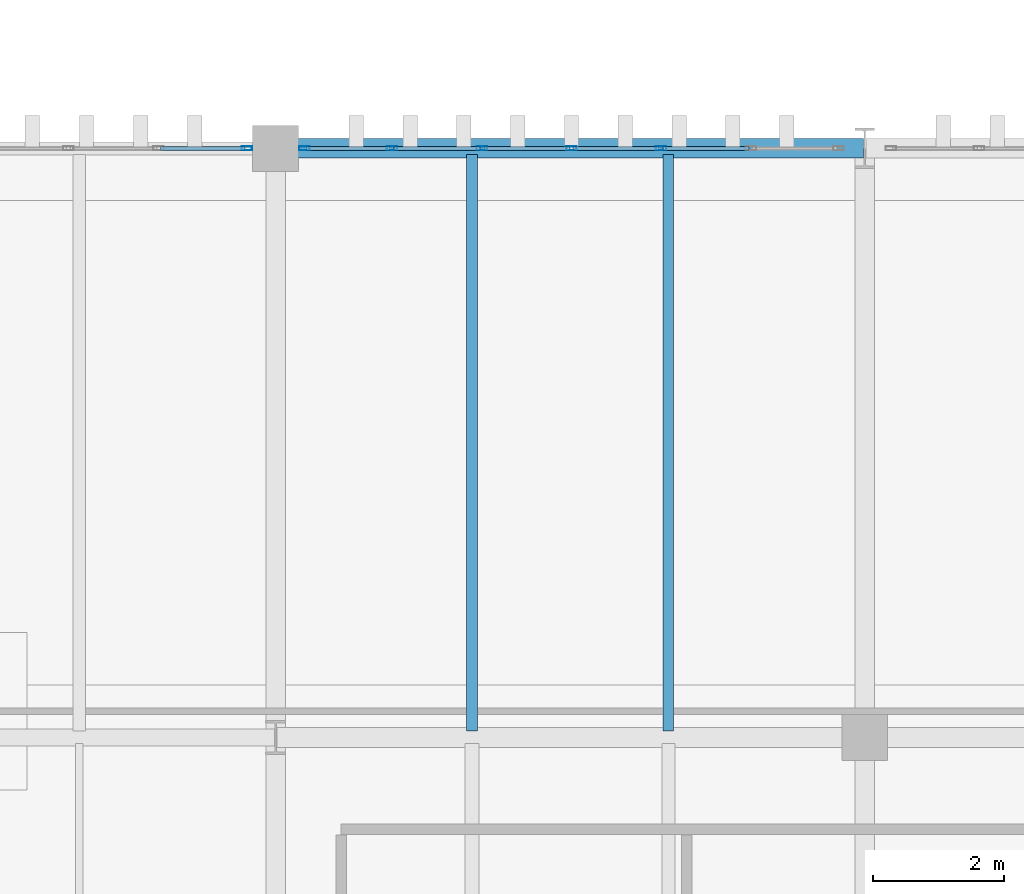
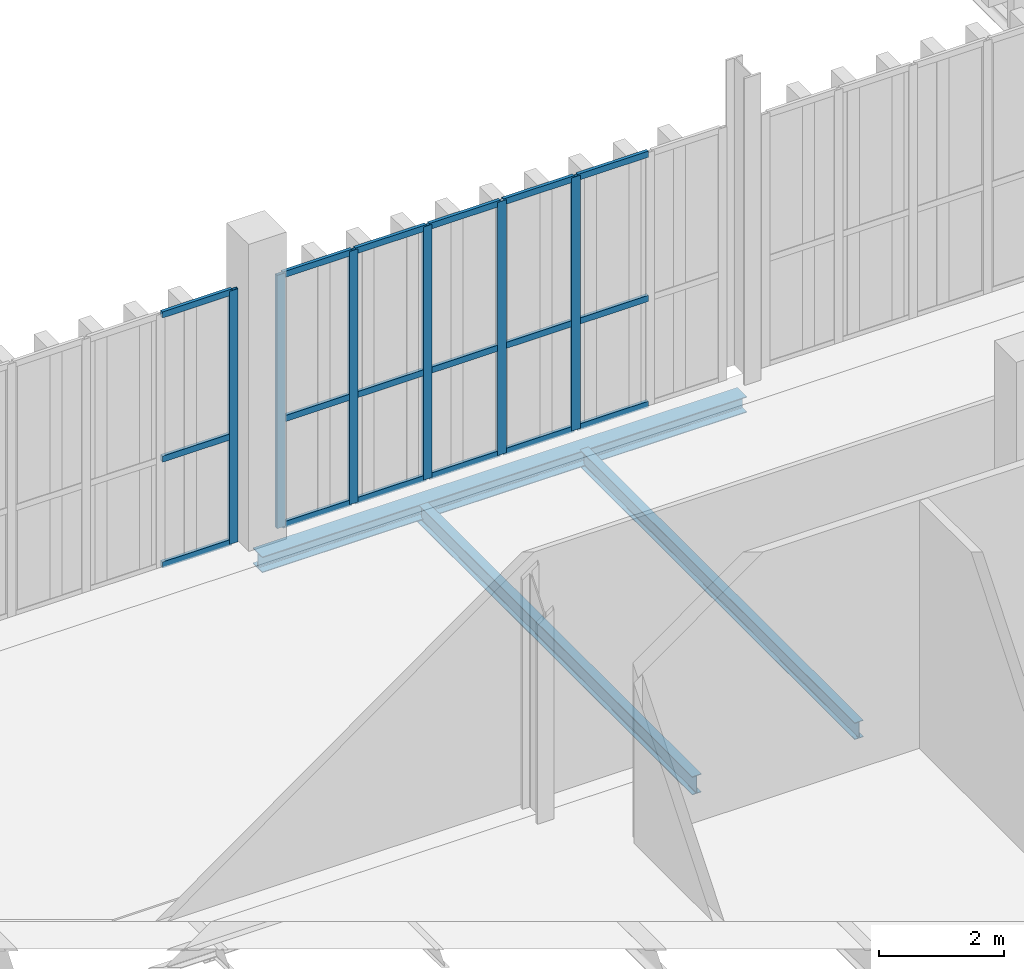
# One storey, part 96 of 211: 24 members, 3 beams, 2 elements without a shape of their own.
"""IFC4 building model written with IfcOpenShell, lengths in metres."""

from ifc_helpers import new_model, si_unit, direction, frame, origin, origin_2d, place, context, subcontext, project, spatial, hollow_rectangle, i_section, extrude, material, layer, layer_set, material_profile, profile_set, type_object, element, aggregate, save


model = new_model("IFC4")

# Units and contexts
model_context = context("Model", 3, precision=1e-05, world=origin(), true_north=direction((0.0, 1.0)))
body_context = subcontext(model_context, "Body", "Model", "MODEL_VIEW")
ifc_project = project(units=[si_unit("LENGTHUNIT", "METRE"), si_unit("AREAUNIT", "SQUARE_METRE"), si_unit("VOLUMEUNIT", "CUBIC_METRE"), si_unit("PLANEANGLEUNIT", "RADIAN"), si_unit("MASSUNIT", "GRAM", prefix="KILO")], contexts=[model_context])

# Site, building, storey
site_placement = place(None, origin())
site = spatial("IfcSite", under=ifc_project, at=site_placement, CompositionType="ELEMENT")
building_placement = place(site_placement, origin())
building = spatial("IfcBuilding", under=site, at=building_placement, Name="Barlavento Convention Centre", CompositionType="ELEMENT")
storey_placement = place(building_placement, frame((0.0, 0.0, 6.0)))
storey = spatial("IfcBuildingStorey", under=building, at=storey_placement, Name="L01", CompositionType="ELEMENT", Elevation=6.0)

# Curtain wall, member
ifc_material_1 = material(Name="Powder-coated aluminium and Low-E glass", Category="aluminium")
ifc_layer = layer(ifc_material_1, 0.195068359375)
ifc_layer_set = layer_set([ifc_layer], Name="ARC-CW-PATIO-A")
curtain_wall_type = type_object("IfcCurtainWallType", Name="ARC-CW-PATIO-A", PredefinedType="NOTDEFINED", material=ifc_layer_set)
curtain_wall_1_placement = place(storey_placement, origin())
curtain_wall_1 = element("IfcCurtainWall", 1, at=curtain_wall_1_placement, inside=storey, type_object=curtain_wall_type, Name="L01 unitised curtain wall CW11", PredefinedType="NOTDEFINED")
ifc_material_2 = material(Name="Powder-coated aluminium", Category="aluminium")
ifc_material_profile_1 = material_profile(ifc_material_2, hollow_rectangle(XDim=0.06005859375, YDim=0.159912109375, WallThickness=0.00390625, at=origin_2d()), Name="AL-MULL 60x160x4")
ifc_profile_set_1 = profile_set([ifc_material_profile_1], Name="Powder-coated aluminium")
member_type_1 = type_object("IfcMemberType", Name="ARC-CWM-60X160", PredefinedType="MULLION", material=ifc_profile_set_1)
member_1_placement = place(storey_placement, frame((152.56005859375, 63.0, 0.0), z_axis=(0.0, 0.0, 1.0), x_axis=(0.0, 1.0, 0.0)))
member_1 = element("IfcMember", 2, at=member_1_placement, type_object=member_type_1, Name="CW11 mullion 7", PredefinedType="MULLION", context=body_context, shape_type="SweptSolid", body=[
    extrude(hollow_rectangle(XDim=0.06005859375, YDim=0.159912109375, WallThickness=0.00390625, at=origin_2d()), origin(), (0.0, 0.0, 1.0), 4.949951171875),
])

# Curtain wall, members
curtain_wall_2_placement = place(storey_placement, origin())
curtain_wall_2 = element("IfcCurtainWall", 3, at=curtain_wall_2_placement, inside=storey, type_object=curtain_wall_type, Name="L01 unitised curtain wall CW11", PredefinedType="NOTDEFINED")
member_2_placement = place(storey_placement, frame((153.43994140625, 63.0, 0.0), z_axis=(0.0, 0.0, 1.0), x_axis=(0.0, 1.0, 0.0)))
member_2 = element("IfcMember", 4, at=member_2_placement, type_object=member_type_1, Name="CW11 mullion 1", PredefinedType="MULLION", context=body_context, shape_type="SweptSolid", body=[
    extrude(hollow_rectangle(XDim=0.06005859375, YDim=0.159912109375, WallThickness=0.00390625, at=origin_2d()), origin(), (0.0, 0.0, 1.0), 4.949951171875),
])
member_3_placement = place(storey_placement, frame((154.780029296875, 63.0, 0.0), z_axis=(0.0, 0.0, 1.0), x_axis=(0.0, 1.0, 0.0)))
member_3 = element("IfcMember", 5, at=member_3_placement, type_object=member_type_1, Name="CW11 mullion 2", PredefinedType="MULLION", context=body_context, shape_type="SweptSolid", body=[
    extrude(hollow_rectangle(XDim=0.06005859375, YDim=0.159912109375, WallThickness=0.00390625, at=origin_2d()), origin(), (0.0, 0.0, 1.0), 4.949951171875),
])
member_4_placement = place(storey_placement, frame((156.14990234375, 63.0, 0.0), z_axis=(0.0, 0.0, 1.0), x_axis=(0.0, 1.0, 0.0)))
member_4 = element("IfcMember", 6, at=member_4_placement, type_object=member_type_1, Name="CW11 mullion 3", PredefinedType="MULLION", context=body_context, shape_type="SweptSolid", body=[
    extrude(hollow_rectangle(XDim=0.06005859375, YDim=0.159912109375, WallThickness=0.00390625, at=origin_2d()), origin(), (0.0, 0.0, 1.0), 4.949951171875),
])
member_5_placement = place(storey_placement, frame((157.52001953125, 63.0, 0.0), z_axis=(0.0, 0.0, 1.0), x_axis=(0.0, 1.0, 0.0)))
member_5 = element("IfcMember", 7, at=member_5_placement, type_object=member_type_1, Name="CW11 mullion 4", PredefinedType="MULLION", context=body_context, shape_type="SweptSolid", body=[
    extrude(hollow_rectangle(XDim=0.06005859375, YDim=0.159912109375, WallThickness=0.00390625, at=origin_2d()), origin(), (0.0, 0.0, 1.0), 4.949951171875),
])
member_6_placement = place(storey_placement, frame((158.889892578125, 63.0, 0.0), z_axis=(0.0, 0.0, 1.0), x_axis=(0.0, 1.0, 0.0)))
member_6 = element("IfcMember", 8, at=member_6_placement, type_object=member_type_1, Name="CW11 mullion 5", PredefinedType="MULLION", context=body_context, shape_type="SweptSolid", body=[
    extrude(hollow_rectangle(XDim=0.06005859375, YDim=0.159912109375, WallThickness=0.00390625, at=origin_2d()), origin(), (0.0, 0.0, 1.0), 4.949951171875),
])

# Member
ifc_material_profile_2 = material_profile(ifc_material_2, hollow_rectangle(XDim=0.06005859375, YDim=0.1201171875, WallThickness=0.00390625, at=origin_2d()), Name="AL-TRAN 60x120x4")
ifc_profile_set_2 = profile_set([ifc_material_profile_2], Name="Powder-coated aluminium")
member_type_2 = type_object("IfcMemberType", Name="ARC-CWT-60X120", PredefinedType="USERDEFINED", material=ifc_profile_set_2)
member_7_placement = place(storey_placement, frame((151.241943359375, 63.0, 0.030029296875), z_axis=(1.0, 0.0, 0.0), x_axis=(0.0, 1.0, 0.0)))
member_7 = element("IfcMember", 9, at=member_7_placement, type_object=member_type_2, Name="CW11 transom 6.1", ObjectType="TRANSOM", PredefinedType="USERDEFINED", context=body_context, shape_type="SweptSolid", body=[
    extrude(hollow_rectangle(XDim=0.06005859375, YDim=0.1201171875, WallThickness=0.00390625, at=origin_2d()), origin(), (0.0, 0.0, 1.0), 1.2880859375),
])

member_8_placement = place(storey_placement, frame((151.241943359375, 63.0, 2.10009765625), z_axis=(1.0, 0.0, 0.0), x_axis=(0.0, 1.0, 0.0)))
member_8 = element("IfcMember", 10, at=member_8_placement, type_object=member_type_2, Name="CW11 transom 6.2", ObjectType="TRANSOM", PredefinedType="USERDEFINED", context=body_context, shape_type="SweptSolid", body=[
    extrude(hollow_rectangle(XDim=0.06005859375, YDim=0.1201171875, WallThickness=0.00390625, at=origin_2d()), origin(), (0.0, 0.0, 1.0), 1.2880859375),
])

member_9_placement = place(storey_placement, frame((151.241943359375, 63.0, 4.919921875), z_axis=(1.0, 0.0, 0.0), x_axis=(0.0, 1.0, 0.0)))
member_9 = element("IfcMember", 11, at=member_9_placement, type_object=member_type_2, Name="CW11 transom 6.3", ObjectType="TRANSOM", PredefinedType="USERDEFINED", context=body_context, shape_type="SweptSolid", body=[
    extrude(hollow_rectangle(XDim=0.06005859375, YDim=0.1201171875, WallThickness=0.00390625, at=origin_2d()), origin(), (0.0, 0.0, 1.0), 1.2880859375),
])

aggregate(curtain_wall_1, [member_1, member_7, member_8, member_9])

member_10_placement = place(storey_placement, frame((153.469970703125, 63.0, 0.030029296875), z_axis=(1.0, 0.0, 0.0), x_axis=(0.0, 1.0, 0.0)))
member_10 = element("IfcMember", 12, at=member_10_placement, type_object=member_type_2, Name="CW11 transom 1.1", ObjectType="TRANSOM", PredefinedType="USERDEFINED", context=body_context, shape_type="SweptSolid", body=[
    extrude(hollow_rectangle(XDim=0.06005859375, YDim=0.1201171875, WallThickness=0.00390625, at=origin_2d()), origin(), (0.0, 0.0, 1.0), 1.280029296875),
])

member_11_placement = place(storey_placement, frame((153.469970703125, 63.0, 2.10009765625), z_axis=(1.0, 0.0, 0.0), x_axis=(0.0, 1.0, 0.0)))
member_11 = element("IfcMember", 13, at=member_11_placement, type_object=member_type_2, Name="CW11 transom 1.2", ObjectType="TRANSOM", PredefinedType="USERDEFINED", context=body_context, shape_type="SweptSolid", body=[
    extrude(hollow_rectangle(XDim=0.06005859375, YDim=0.1201171875, WallThickness=0.00390625, at=origin_2d()), origin(), (0.0, 0.0, 1.0), 1.280029296875),
])

member_12_placement = place(storey_placement, frame((153.469970703125, 63.0, 4.919921875), z_axis=(1.0, 0.0, 0.0), x_axis=(0.0, 1.0, 0.0)))
member_12 = element("IfcMember", 14, at=member_12_placement, type_object=member_type_2, Name="CW11 transom 1.3", ObjectType="TRANSOM", PredefinedType="USERDEFINED", context=body_context, shape_type="SweptSolid", body=[
    extrude(hollow_rectangle(XDim=0.06005859375, YDim=0.1201171875, WallThickness=0.00390625, at=origin_2d()), origin(), (0.0, 0.0, 1.0), 1.280029296875),
])

member_13_placement = place(storey_placement, frame((154.81005859375, 63.0, 0.030029296875), z_axis=(1.0, 0.0, 0.0), x_axis=(0.0, 1.0, 0.0)))
member_13 = element("IfcMember", 15, at=member_13_placement, type_object=member_type_2, Name="CW11 transom 2.1", ObjectType="TRANSOM", PredefinedType="USERDEFINED", context=body_context, shape_type="SweptSolid", body=[
    extrude(hollow_rectangle(XDim=0.06005859375, YDim=0.1201171875, WallThickness=0.00390625, at=origin_2d()), origin(), (0.0, 0.0, 1.0), 1.31005859375),
])

member_14_placement = place(storey_placement, frame((154.81005859375, 63.0, 2.10009765625), z_axis=(1.0, 0.0, 0.0), x_axis=(0.0, 1.0, 0.0)))
member_14 = element("IfcMember", 16, at=member_14_placement, type_object=member_type_2, Name="CW11 transom 2.2", ObjectType="TRANSOM", PredefinedType="USERDEFINED", context=body_context, shape_type="SweptSolid", body=[
    extrude(hollow_rectangle(XDim=0.06005859375, YDim=0.1201171875, WallThickness=0.00390625, at=origin_2d()), origin(), (0.0, 0.0, 1.0), 1.31005859375),
])

member_15_placement = place(storey_placement, frame((154.81005859375, 63.0, 4.919921875), z_axis=(1.0, 0.0, 0.0), x_axis=(0.0, 1.0, 0.0)))
member_15 = element("IfcMember", 17, at=member_15_placement, type_object=member_type_2, Name="CW11 transom 2.3", ObjectType="TRANSOM", PredefinedType="USERDEFINED", context=body_context, shape_type="SweptSolid", body=[
    extrude(hollow_rectangle(XDim=0.06005859375, YDim=0.1201171875, WallThickness=0.00390625, at=origin_2d()), origin(), (0.0, 0.0, 1.0), 1.31005859375),
])

member_16_placement = place(storey_placement, frame((156.179931640625, 63.0, 0.030029296875), z_axis=(1.0, 0.0, 0.0), x_axis=(0.0, 1.0, 0.0)))
member_16 = element("IfcMember", 18, at=member_16_placement, type_object=member_type_2, Name="CW11 transom 3.1", ObjectType="TRANSOM", PredefinedType="USERDEFINED", context=body_context, shape_type="SweptSolid", body=[
    extrude(hollow_rectangle(XDim=0.06005859375, YDim=0.1201171875, WallThickness=0.00390625, at=origin_2d()), origin(), (0.0, 0.0, 1.0), 1.31005859375),
])

member_17_placement = place(storey_placement, frame((156.179931640625, 63.0, 2.10009765625), z_axis=(1.0, 0.0, 0.0), x_axis=(0.0, 1.0, 0.0)))
member_17 = element("IfcMember", 19, at=member_17_placement, type_object=member_type_2, Name="CW11 transom 3.2", ObjectType="TRANSOM", PredefinedType="USERDEFINED", context=body_context, shape_type="SweptSolid", body=[
    extrude(hollow_rectangle(XDim=0.06005859375, YDim=0.1201171875, WallThickness=0.00390625, at=origin_2d()), origin(), (0.0, 0.0, 1.0), 1.31005859375),
])

member_18_placement = place(storey_placement, frame((156.179931640625, 63.0, 4.919921875), z_axis=(1.0, 0.0, 0.0), x_axis=(0.0, 1.0, 0.0)))
member_18 = element("IfcMember", 20, at=member_18_placement, type_object=member_type_2, Name="CW11 transom 3.3", ObjectType="TRANSOM", PredefinedType="USERDEFINED", context=body_context, shape_type="SweptSolid", body=[
    extrude(hollow_rectangle(XDim=0.06005859375, YDim=0.1201171875, WallThickness=0.00390625, at=origin_2d()), origin(), (0.0, 0.0, 1.0), 1.31005859375),
])

member_19_placement = place(storey_placement, frame((157.550048828125, 63.0, 0.030029296875), z_axis=(1.0, 0.0, 0.0), x_axis=(0.0, 1.0, 0.0)))
member_19 = element("IfcMember", 21, at=member_19_placement, type_object=member_type_2, Name="CW11 transom 4.1", ObjectType="TRANSOM", PredefinedType="USERDEFINED", context=body_context, shape_type="SweptSolid", body=[
    extrude(hollow_rectangle(XDim=0.06005859375, YDim=0.1201171875, WallThickness=0.00390625, at=origin_2d()), origin(), (0.0, 0.0, 1.0), 1.31005859375),
])

member_20_placement = place(storey_placement, frame((157.550048828125, 63.0, 2.10009765625), z_axis=(1.0, 0.0, 0.0), x_axis=(0.0, 1.0, 0.0)))
member_20 = element("IfcMember", 22, at=member_20_placement, type_object=member_type_2, Name="CW11 transom 4.2", ObjectType="TRANSOM", PredefinedType="USERDEFINED", context=body_context, shape_type="SweptSolid", body=[
    extrude(hollow_rectangle(XDim=0.06005859375, YDim=0.1201171875, WallThickness=0.00390625, at=origin_2d()), origin(), (0.0, 0.0, 1.0), 1.31005859375),
])

member_21_placement = place(storey_placement, frame((157.550048828125, 63.0, 4.919921875), z_axis=(1.0, 0.0, 0.0), x_axis=(0.0, 1.0, 0.0)))
member_21 = element("IfcMember", 23, at=member_21_placement, type_object=member_type_2, Name="CW11 transom 4.3", ObjectType="TRANSOM", PredefinedType="USERDEFINED", context=body_context, shape_type="SweptSolid", body=[
    extrude(hollow_rectangle(XDim=0.06005859375, YDim=0.1201171875, WallThickness=0.00390625, at=origin_2d()), origin(), (0.0, 0.0, 1.0), 1.31005859375),
])

member_22_placement = place(storey_placement, frame((158.919921875, 63.0, 0.030029296875), z_axis=(1.0, 0.0, 0.0), x_axis=(0.0, 1.0, 0.0)))
member_22 = element("IfcMember", 24, at=member_22_placement, type_object=member_type_2, Name="CW11 transom 5.1", ObjectType="TRANSOM", PredefinedType="USERDEFINED", context=body_context, shape_type="SweptSolid", body=[
    extrude(hollow_rectangle(XDim=0.06005859375, YDim=0.1201171875, WallThickness=0.00390625, at=origin_2d()), origin(), (0.0, 0.0, 1.0), 1.31005859375),
])

member_23_placement = place(storey_placement, frame((158.919921875, 63.0, 2.10009765625), z_axis=(1.0, 0.0, 0.0), x_axis=(0.0, 1.0, 0.0)))
member_23 = element("IfcMember", 25, at=member_23_placement, type_object=member_type_2, Name="CW11 transom 5.2", ObjectType="TRANSOM", PredefinedType="USERDEFINED", context=body_context, shape_type="SweptSolid", body=[
    extrude(hollow_rectangle(XDim=0.06005859375, YDim=0.1201171875, WallThickness=0.00390625, at=origin_2d()), origin(), (0.0, 0.0, 1.0), 1.31005859375),
])

member_24_placement = place(storey_placement, frame((158.919921875, 63.0, 4.919921875), z_axis=(1.0, 0.0, 0.0), x_axis=(0.0, 1.0, 0.0)))
member_24 = element("IfcMember", 26, at=member_24_placement, type_object=member_type_2, Name="CW11 transom 5.3", ObjectType="TRANSOM", PredefinedType="USERDEFINED", context=body_context, shape_type="SweptSolid", body=[
    extrude(hollow_rectangle(XDim=0.06005859375, YDim=0.1201171875, WallThickness=0.00390625, at=origin_2d()), origin(), (0.0, 0.0, 1.0), 1.31005859375),
])

aggregate(curtain_wall_2, [member_2, member_3, member_4, member_5, member_6, member_10, member_11, member_12, member_13, member_14, member_15, member_16, member_17, member_18, member_19, member_20, member_21, member_22, member_23, member_24])

# Beams
ifc_material_3 = material(Name="Steel S355", Category="steel")
ifc_material_profile_3 = material_profile(ifc_material_3, i_section(OverallWidth=0.159912109375, OverallDepth=0.330078125, WebThickness=0.007568359375, FlangeThickness=0.011474609375, FilletRadius=0.01806640625, at=origin_2d()), Name="IPE 330")
ifc_profile_set_3 = profile_set([ifc_material_profile_3], Name="Steel S355")
beam_type_1 = type_object("IfcBeamType", Name="STR-BM-JST-IPE330", PredefinedType="JOIST", material=ifc_profile_set_3)
beam_1_placement = place(storey_placement, frame((159.0, 54.094970703125, -0.52490234375), z_axis=(0.0, 1.0, 0.0), x_axis=(-1.0, 0.0, 0.0)))
element("IfcBeam", 27, at=beam_1_placement, inside=storey, type_object=beam_type_1, Name="L01 composite floor joist SJ06", PredefinedType="JOIST", context=body_context, shape_type="SweptSolid", body=[
    extrude(i_section(OverallWidth=0.159912109375, OverallDepth=0.330078125, WebThickness=0.007568359375, FlangeThickness=0.011474609375, FilletRadius=0.01806640625, at=origin_2d()), origin(), (0.0, 0.0, 1.0), 8.81005859375),
])
ifc_material_profile_4 = material_profile(ifc_material_3, i_section(OverallWidth=0.169921875, OverallDepth=0.360107421875, WebThickness=0.008056640625, FlangeThickness=0.0126953125, FilletRadius=0.01806640625, at=origin_2d()), Name="IPE 360")
ifc_profile_set_4 = profile_set([ifc_material_profile_4], Name="Steel S355")
beam_type_2 = type_object("IfcBeamType", Name="STR-BM-JST-IPE360", PredefinedType="JOIST", material=ifc_profile_set_4)
beam_2_placement = place(storey_placement, frame((156.0, 54.094970703125, -0.5400390625), z_axis=(0.0, 1.0, 0.0), x_axis=(-1.0, 0.0, 0.0)))
element("IfcBeam", 28, at=beam_2_placement, inside=storey, type_object=beam_type_2, Name="L01 composite floor joist SJ05", PredefinedType="JOIST", context=body_context, shape_type="SweptSolid", body=[
    extrude(i_section(OverallWidth=0.169921875, OverallDepth=0.360107421875, WebThickness=0.008056640625, FlangeThickness=0.0126953125, FilletRadius=0.01806640625, at=origin_2d()), origin(), (0.0, 0.0, 1.0), 8.81005859375),
])
ifc_material_profile_5 = material_profile(ifc_material_3, i_section(OverallWidth=0.300048828125, OverallDepth=0.31005859375, WebThickness=0.009033203125, FlangeThickness=0.015380859375, FilletRadius=0.027099609375, at=origin_2d()), Name="HEA 320")
ifc_profile_set_5 = profile_set([ifc_material_profile_5], Name="Steel S355")
beam_type_3 = type_object("IfcBeamType", Name="STR-BM-SPN-HEA320", PredefinedType="SPANDREL", material=ifc_profile_set_5)
beam_3_placement = place(storey_placement, frame((153.02001953125, 63.0, -0.514892578125), z_axis=(1.0, 0.0, 0.0), x_axis=(0.0, 1.0, 0.0)))
element("IfcBeam", 29, at=beam_3_placement, inside=storey, type_object=beam_type_3, Name="L01 primary girder SP01", PredefinedType="SPANDREL", context=body_context, shape_type="SweptSolid", body=[
    extrude(i_section(OverallWidth=0.300048828125, OverallDepth=0.31005859375, WebThickness=0.009033203125, FlangeThickness=0.015380859375, FilletRadius=0.027099609375, at=origin_2d()), origin(), (0.0, 0.0, 1.0), 8.9599609375),
])

save(model, "model.ifc")
